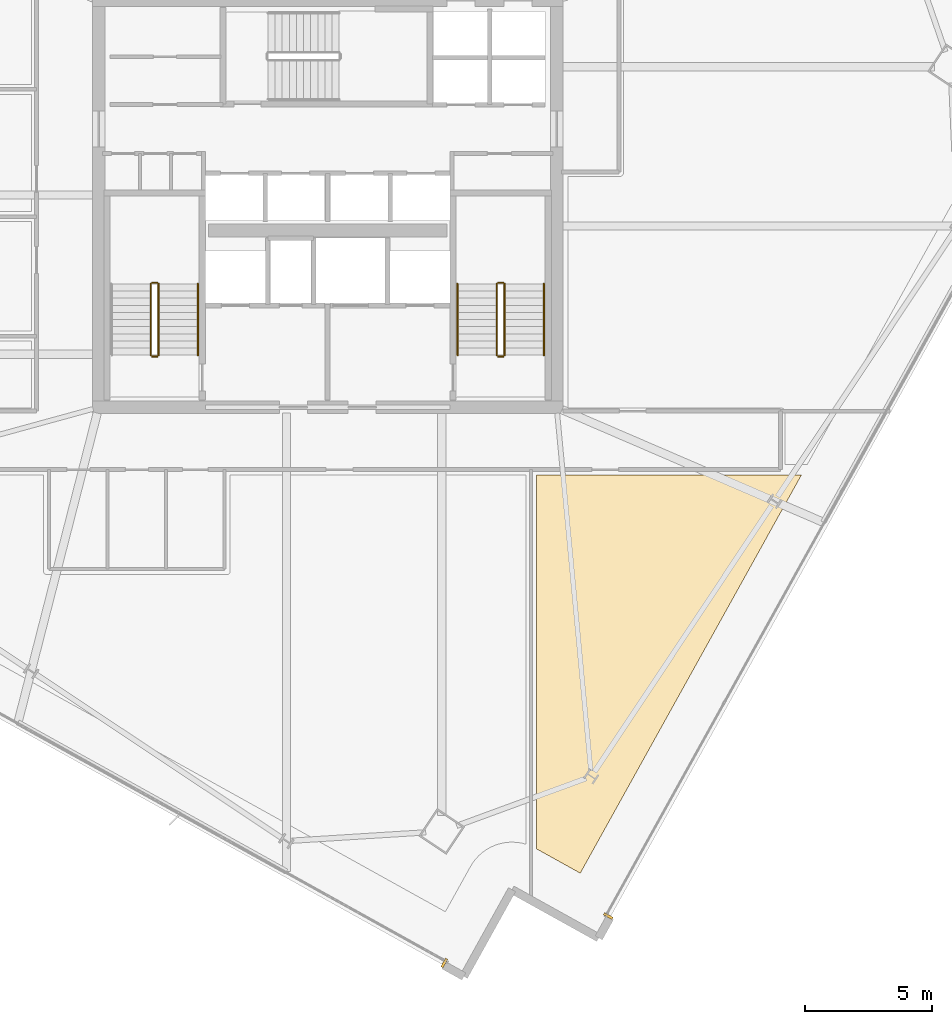
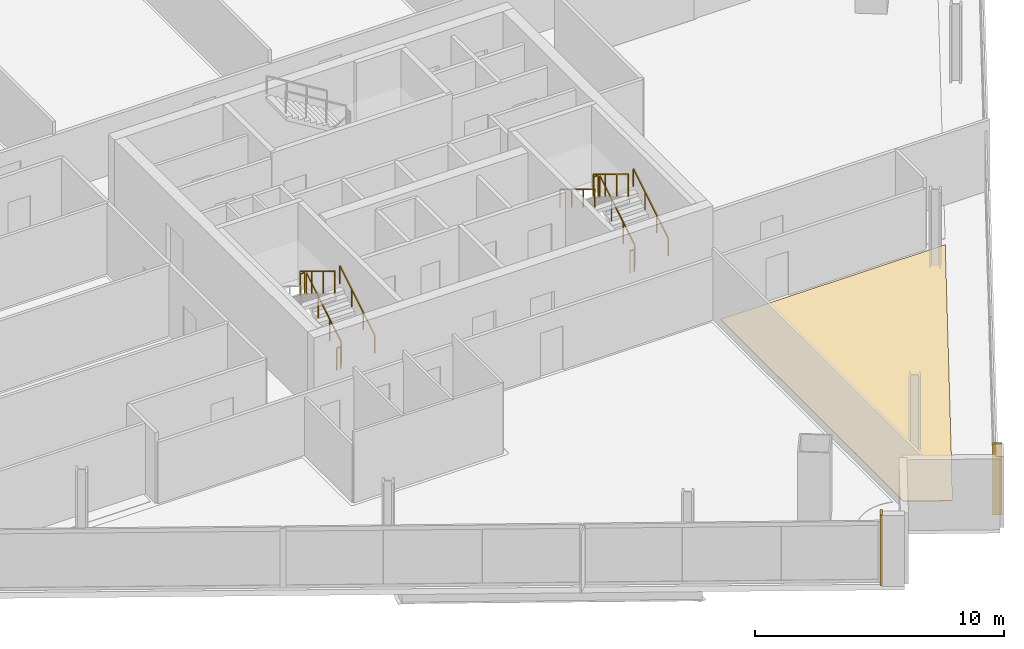
# One storey, part 25 of 28: 11 railings, 3 coverings.
"""IFC4 building model written with IfcOpenShell, lengths in metres."""

from ifc_helpers import new_model, si_unit, direction, frame, origin, origin_2d, place, context, subcontext, project, spatial, polyline, rectangle, outline, extrude, source, transform, mapped, material, layer, layer_set, type_object, element, save


model = new_model("IFC4")

# Units and contexts
model_context = context("Model", 3, precision=1e-05, world=origin(), true_north=direction((0.0, 1.0)))
body_context = subcontext(model_context, "Body", "Model", "MODEL_VIEW")
ifc_project = project(units=[si_unit("LENGTHUNIT", "METRE"), si_unit("AREAUNIT", "SQUARE_METRE"), si_unit("VOLUMEUNIT", "CUBIC_METRE"), si_unit("PLANEANGLEUNIT", "RADIAN"), si_unit("MASSUNIT", "GRAM", prefix="KILO")], contexts=[model_context])

# Site, building, storey
site_placement = place(None, origin())
site = spatial("IfcSite", under=ifc_project, at=site_placement, CompositionType="ELEMENT")
building_placement = place(site_placement, origin())
building = spatial("IfcBuilding", under=site, at=building_placement, Name="Haldenkirk Collegiate Tower", CompositionType="ELEMENT")
storey_placement = place(building_placement, frame((0.0, 0.0, 232.199951171875)))
storey = spatial("IfcBuildingStorey", under=building, at=storey_placement, Name="L58", CompositionType="ELEMENT", Elevation=232.199951171875)

# Covering
ifc_material_1 = material(Name="Polished collegiate terrazzo", Category="concrete")
ifc_layer_1 = layer(ifc_material_1, 0.02490234375)
ifc_layer_set_1 = layer_set([ifc_layer_1], Name="Polished collegiate terrazzo")
covering_type_1 = type_object("IfcCoveringType", Name="COV-FLOOR-TERRAZZO", PredefinedType="FLOORING", material=ifc_layer_set_1)
covering_placement = place(storey_placement, origin())
element("IfcCovering", 1, at=covering_placement, inside=storey, type_object=covering_type_1, Name="L58 academic room finish 02", PredefinedType="FLOORING", context=body_context, shape_type="SweptSolid", body=[
    extrude(outline(polyline([(44.199951171875, 0.649169921875), (44.199951171875, 15.35009765625), (54.626953125, 15.35009765625), (45.92822265625, -0.310791015625), (44.199951171875, 0.649169921875)])), origin(), (0.0, 0.0, 1.0), 0.025146484375),
])

# Railings
ifc_material_2 = material(Name="Painted architectural tubular steel", Category="steel")
railing_type_1 = type_object("IfcRailingType", Name="RLG-STAIR-GUARD-1100", PredefinedType="BALUSTRADE", material=ifc_material_2)
railing_1_placement = place(storey_placement, frame((29.35009765625, 20.050048828125, 0.17041015625)))
element("IfcRailing", 2, at=railing_1_placement, inside=storey, type_object=railing_type_1, Name="L58 ST-1 stair guard 1", PredefinedType="BALUSTRADE", context=body_context, shape_type="SweptSolid", body=[
    extrude(rectangle(XDim=0.048095703125, YDim=0.048095703125, at=origin_2d()), frame((0.0, 0.0, 1.076171875), z_axis=(0.0, 0.854169791009, 0.51999420009), x_axis=(-1.0, 0.0, 0.0)), (0.0, 0.0, 1.0), 3.278076171875),
    extrude(rectangle(XDim=0.0419921875, YDim=0.0419921875, at=origin_2d()), origin(), (0.0, 0.0, 1.0), 1.052001953125),
    extrude(rectangle(XDim=0.0419921875, YDim=0.0419921875, at=origin_2d()), frame((0.0, 0.933349609375, 0.568115234375)), (0.0, 0.0, 1.0), 1.052001953125),
    extrude(rectangle(XDim=0.0419921875, YDim=0.0419921875, at=origin_2d()), frame((0.0, 1.86669921875, 1.136474609375)), (0.0, 0.0, 1.0), 1.052001953125),
    extrude(rectangle(XDim=0.0419921875, YDim=0.0419921875, at=origin_2d()), frame((0.0, 2.800048828125, 1.70458984375)), (0.0, 0.0, 1.0), 1.052001953125),
])
railing_2_placement = place(storey_placement, frame((29.300048828125, 22.89990234375, 1.875)))
element("IfcRailing", 3, at=railing_2_placement, inside=storey, type_object=railing_type_1, Name="L58 ST-1 stair guard 2", PredefinedType="BALUSTRADE", context=body_context, shape_type="SweptSolid", body=[
    extrude(rectangle(XDim=0.048095703125, YDim=0.048095703125, at=origin_2d()), frame((0.0, 0.0, 1.076171875), z_axis=(-1.0, 0.0, 0.0), x_axis=(0.0, -1.0, 0.0)), (0.0, 0.0, 1.0), 0.199951171875),
    extrude(rectangle(XDim=0.0419921875, YDim=0.0419921875, at=origin_2d()), origin(), (0.0, 0.0, 1.0), 1.052001953125),
    extrude(rectangle(XDim=0.0419921875, YDim=0.0419921875, at=origin_2d()), frame((-0.199951171875, 0.0, 0.0)), (0.0, 0.0, 1.0), 1.052001953125),
])
railing_3_placement = place(storey_placement, frame((29.050048828125, 22.85009765625, 2.04541015625)))
element("IfcRailing", 4, at=railing_3_placement, inside=storey, type_object=railing_type_1, Name="L58 ST-1 stair guard 3", PredefinedType="BALUSTRADE", context=body_context, shape_type="SweptSolid", body=[
    extrude(rectangle(XDim=0.048095703125, YDim=0.048095703125, at=origin_2d()), frame((0.0, 0.0, 1.076171875), z_axis=(0.0, -0.854169791009, 0.51999420009), x_axis=(1.0, 0.0, 0.0)), (0.0, 0.0, 1.0), 3.278076171875),
    extrude(rectangle(XDim=0.0419921875, YDim=0.0419921875, at=origin_2d()), origin(), (0.0, 0.0, 1.0), 1.052001953125),
    extrude(rectangle(XDim=0.0419921875, YDim=0.0419921875, at=origin_2d()), frame((0.0, -0.933349609375, 0.568115234375)), (0.0, 0.0, 1.0), 1.052001953125),
    extrude(rectangle(XDim=0.0419921875, YDim=0.0419921875, at=origin_2d()), frame((0.0, -1.86669921875, 1.136474609375)), (0.0, 0.0, 1.0), 1.052001953125),
    extrude(rectangle(XDim=0.0419921875, YDim=0.0419921875, at=origin_2d()), frame((0.0, -2.800048828125, 1.70458984375)), (0.0, 0.0, 1.0), 1.052001953125),
])
railing_4_placement = place(storey_placement, frame((29.300048828125, 20.0, 0.0)))
element("IfcRailing", 5, at=railing_4_placement, inside=storey, type_object=railing_type_1, Name="L58 ST-1 stair guard 4", PredefinedType="BALUSTRADE", context=body_context, shape_type="SweptSolid", body=[
    extrude(rectangle(XDim=0.048095703125, YDim=0.048095703125, at=origin_2d()), frame((0.0, 0.0, 1.076171875), z_axis=(-1.0, 0.0, 0.0), x_axis=(0.0, -1.0, 0.0)), (0.0, 0.0, 1.0), 0.199951171875),
    extrude(rectangle(XDim=0.0419921875, YDim=0.0419921875, at=origin_2d()), origin(), (0.0, 0.0, 1.0), 1.052001953125),
    extrude(rectangle(XDim=0.0419921875, YDim=0.0419921875, at=origin_2d()), frame((-0.199951171875, 0.0, 0.0)), (0.0, 0.0, 1.0), 1.052001953125),
])
railing_5_placement = place(storey_placement, frame((42.949951171875, 20.050048828125, 0.17041015625)))
element("IfcRailing", 6, at=railing_5_placement, inside=storey, type_object=railing_type_1, Name="L58 ST-2 stair guard 1", PredefinedType="BALUSTRADE", context=body_context, shape_type="SweptSolid", body=[
    extrude(rectangle(XDim=0.048095703125, YDim=0.048095703125, at=origin_2d()), frame((0.0, 0.0, 1.076171875), z_axis=(0.0, 0.854169791009, 0.51999420009), x_axis=(-1.0, 0.0, 0.0)), (0.0, 0.0, 1.0), 3.278076171875),
    extrude(rectangle(XDim=0.0419921875, YDim=0.0419921875, at=origin_2d()), origin(), (0.0, 0.0, 1.0), 1.052001953125),
    extrude(rectangle(XDim=0.0419921875, YDim=0.0419921875, at=origin_2d()), frame((0.0, 0.933349609375, 0.568115234375)), (0.0, 0.0, 1.0), 1.052001953125),
    extrude(rectangle(XDim=0.0419921875, YDim=0.0419921875, at=origin_2d()), frame((0.0, 1.86669921875, 1.136474609375)), (0.0, 0.0, 1.0), 1.052001953125),
    extrude(rectangle(XDim=0.0419921875, YDim=0.0419921875, at=origin_2d()), frame((0.0, 2.800048828125, 1.70458984375)), (0.0, 0.0, 1.0), 1.052001953125),
])
railing_6_placement = place(storey_placement, frame((42.89990234375, 22.89990234375, 1.875)))
element("IfcRailing", 7, at=railing_6_placement, inside=storey, type_object=railing_type_1, Name="L58 ST-2 stair guard 2", PredefinedType="BALUSTRADE", context=body_context, shape_type="SweptSolid", body=[
    extrude(rectangle(XDim=0.048095703125, YDim=0.048095703125, at=origin_2d()), frame((0.0, 0.0, 1.076171875), z_axis=(-1.0, 0.0, 0.0), x_axis=(0.0, -1.0, 0.0)), (0.0, 0.0, 1.0), 0.199951171875),
    extrude(rectangle(XDim=0.0419921875, YDim=0.0419921875, at=origin_2d()), origin(), (0.0, 0.0, 1.0), 1.052001953125),
    extrude(rectangle(XDim=0.0419921875, YDim=0.0419921875, at=origin_2d()), frame((-0.199951171875, 0.0, 0.0)), (0.0, 0.0, 1.0), 1.052001953125),
])
railing_7_placement = place(storey_placement, frame((42.64990234375, 22.85009765625, 2.04541015625)))
element("IfcRailing", 8, at=railing_7_placement, inside=storey, type_object=railing_type_1, Name="L58 ST-2 stair guard 3", PredefinedType="BALUSTRADE", context=body_context, shape_type="SweptSolid", body=[
    extrude(rectangle(XDim=0.048095703125, YDim=0.048095703125, at=origin_2d()), frame((0.0, 0.0, 1.076171875), z_axis=(0.0, -0.854169791009, 0.51999420009), x_axis=(1.0, 0.0, 0.0)), (0.0, 0.0, 1.0), 3.278076171875),
    extrude(rectangle(XDim=0.0419921875, YDim=0.0419921875, at=origin_2d()), origin(), (0.0, 0.0, 1.0), 1.052001953125),
    extrude(rectangle(XDim=0.0419921875, YDim=0.0419921875, at=origin_2d()), frame((0.0, -0.933349609375, 0.568115234375)), (0.0, 0.0, 1.0), 1.052001953125),
    extrude(rectangle(XDim=0.0419921875, YDim=0.0419921875, at=origin_2d()), frame((0.0, -1.86669921875, 1.136474609375)), (0.0, 0.0, 1.0), 1.052001953125),
    extrude(rectangle(XDim=0.0419921875, YDim=0.0419921875, at=origin_2d()), frame((0.0, -2.800048828125, 1.70458984375)), (0.0, 0.0, 1.0), 1.052001953125),
])
railing_8_placement = place(storey_placement, frame((42.89990234375, 20.0, 0.0)))
element("IfcRailing", 9, at=railing_8_placement, inside=storey, type_object=railing_type_1, Name="L58 ST-2 stair guard 4", PredefinedType="BALUSTRADE", context=body_context, shape_type="SweptSolid", body=[
    extrude(rectangle(XDim=0.048095703125, YDim=0.048095703125, at=origin_2d()), frame((0.0, 0.0, 1.076171875), z_axis=(-1.0, 0.0, 0.0), x_axis=(0.0, -1.0, 0.0)), (0.0, 0.0, 1.0), 0.199951171875),
    extrude(rectangle(XDim=0.0419921875, YDim=0.0419921875, at=origin_2d()), origin(), (0.0, 0.0, 1.0), 1.052001953125),
    extrude(rectangle(XDim=0.0419921875, YDim=0.0419921875, at=origin_2d()), frame((-0.199951171875, 0.0, 0.0)), (0.0, 0.0, 1.0), 1.052001953125),
])
railing_type_2 = type_object("IfcRailingType", Name="RLG-STAIR-HANDRAIL-900", PredefinedType="HANDRAIL", material=ifc_material_2)
for number, where, name in (
    (10, (30.89990234375, 20.050048828125, 0.17041015625), "L58 ST-1 stair handrail 1"),
    (11, (44.5, 20.050048828125, 0.17041015625), "L58 ST-2 stair handrail 1"),
):
    element("IfcRailing", number, at=place(storey_placement, frame(where)), inside=storey, type_object=railing_type_2, Name=name, PredefinedType="HANDRAIL", context=body_context, shape_type="SweptSolid", body=[
        extrude(rectangle(XDim=0.048095703125, YDim=0.048095703125, at=origin_2d()), frame((0.0, 0.0, 0.8759765625), z_axis=(0.0, 0.854169791009, 0.51999420009), x_axis=(-1.0, 0.0, 0.0)), (0.0, 0.0, 1.0), 3.278076171875),
        extrude(rectangle(XDim=0.0419921875, YDim=0.0419921875, at=origin_2d()), origin(), (0.0, 0.0, 1.0), 0.851806640625),
        extrude(rectangle(XDim=0.0419921875, YDim=0.0419921875, at=origin_2d()), frame((0.0, 0.933349609375, 0.568115234375)), (0.0, 0.0, 1.0), 0.851806640625),
        extrude(rectangle(XDim=0.0419921875, YDim=0.0419921875, at=origin_2d()), frame((0.0, 1.86669921875, 1.136474609375)), (0.0, 0.0, 1.0), 0.851806640625),
        extrude(rectangle(XDim=0.0419921875, YDim=0.0419921875, at=origin_2d()), frame((0.0, 2.800048828125, 1.70458984375)), (0.0, 0.0, 1.0), 0.851806640625),
    ])
railing_9_placement = place(storey_placement, frame((41.10009765625, 22.85009765625, 2.04541015625)))
element("IfcRailing", 12, at=railing_9_placement, inside=storey, type_object=railing_type_2, Name="L58 ST-2 stair handrail 2", PredefinedType="HANDRAIL", context=body_context, shape_type="SweptSolid", body=[
    extrude(rectangle(XDim=0.048095703125, YDim=0.048095703125, at=origin_2d()), frame((0.0, 0.0, 0.8759765625), z_axis=(0.0, -0.854169791009, 0.51999420009), x_axis=(1.0, 0.0, 0.0)), (0.0, 0.0, 1.0), 3.278076171875),
    extrude(rectangle(XDim=0.0419921875, YDim=0.0419921875, at=origin_2d()), origin(), (0.0, 0.0, 1.0), 0.851806640625),
    extrude(rectangle(XDim=0.0419921875, YDim=0.0419921875, at=origin_2d()), frame((0.0, -0.933349609375, 0.568115234375)), (0.0, 0.0, 1.0), 0.851806640625),
    extrude(rectangle(XDim=0.0419921875, YDim=0.0419921875, at=origin_2d()), frame((0.0, -1.86669921875, 1.136474609375)), (0.0, 0.0, 1.0), 0.851806640625),
    extrude(rectangle(XDim=0.0419921875, YDim=0.0419921875, at=origin_2d()), frame((0.0, -2.800048828125, 1.70458984375)), (0.0, 0.0, 1.0), 0.851806640625),
])

# Coverings
ifc_material_3 = material(Name="Anodised architectural bronze aluminium", Category="aluminium")
ifc_layer_2 = layer(ifc_material_3, 0.06005859375)
ifc_layer_set_2 = layer_set([ifc_layer_2], Name="Anodised architectural bronze aluminium")
covering_type_2 = type_object("IfcCoveringType", Name="COV-CLAD-BRONZE-60", PredefinedType="CLADDING", material=ifc_layer_set_2)
shared_shape = source(origin(), body_context, "Body", "SweptSolid", [
    extrude(rectangle(XDim=0.10009765625, YDim=0.3798828125, at=origin_2d()), origin(), (0.0, 0.0, 1.0), 3.469970703125),
])
for number, where, z_axis, x_axis, name in (
    (13, (47.02783203125, -1.996826171875, 0.0), (0.0, 0.0, 1.0), (-0.485572685227, -0.874196297957, 0.0), "L58 recessed curtain-wall bronze jamb closure SJR"),
    (14, (40.58251953125, -3.839111328125, 0.0), (0.0, 0.0, 1.0), (-0.874196297957, 0.485572685227, 0.0), "L58 recessed curtain-wall bronze jamb closure WJL"),
):
    element("IfcCovering", number, at=place(storey_placement, frame(where, z_axis=z_axis, x_axis=x_axis)), inside=storey, type_object=covering_type_2, Name=name, PredefinedType="CLADDING", context=body_context, shape_type="MappedRepresentation", body=[
        mapped(shared_shape, transform((0.0, 0.0, 0.0), x_axis=(1.0, 0.0, 0.0), y_axis=(0.0, 1.0, 0.0), z_axis=(0.0, 0.0, 1.0), scale=1.0)),
    ])

save(model, "model.ifc")
